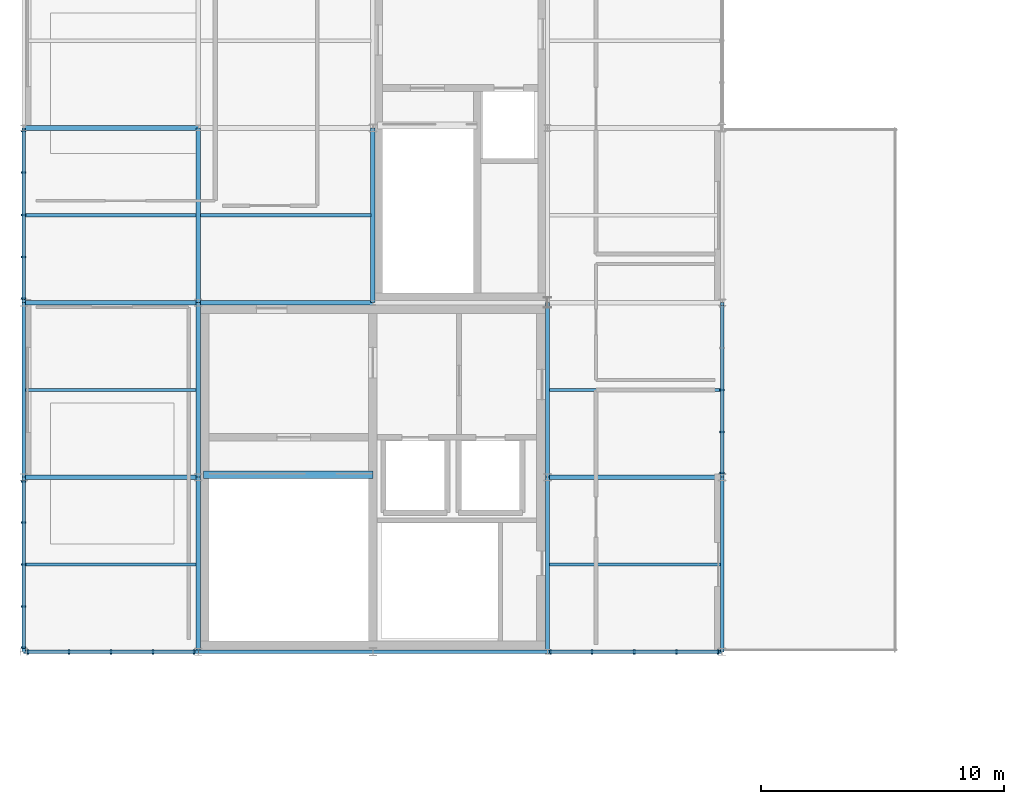
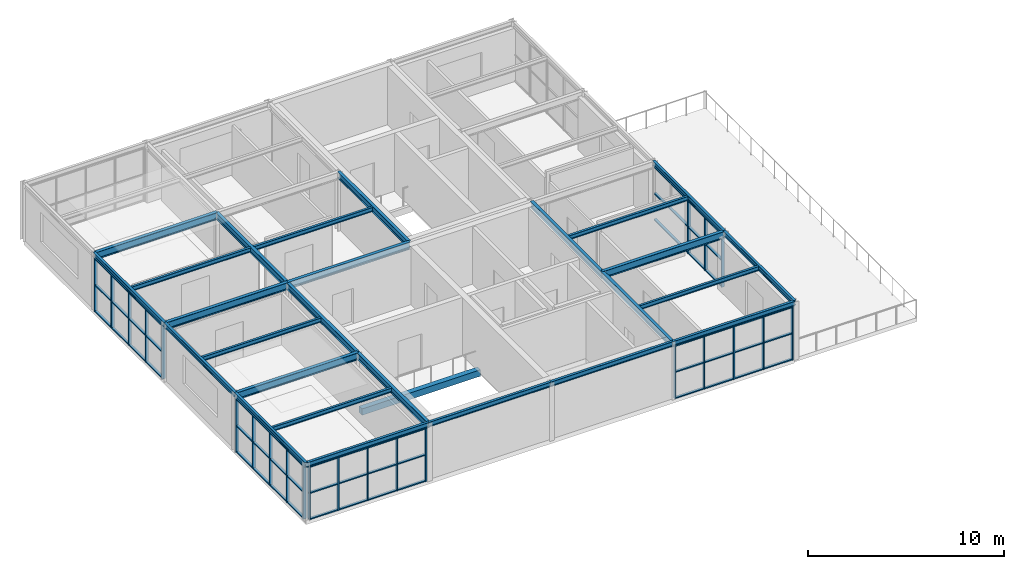
# One storey, part 4 of 12: 38 members, 27 beams, 5 elements without a shape of their own.
"""IFC4 building model written with IfcOpenShell, lengths in metres."""

from ifc_helpers import new_model, si_unit, direction, frame, origin, origin_2d, place, context, subcontext, project, spatial, rectangle, i_section, extrude, material, material_profile, profile_set, type_object, element, aggregate, save


model = new_model("IFC4")

# Units and contexts
model_context = context("Model", 3, precision=1e-05, world=origin(), true_north=direction((0.0, 1.0)))
body_context = subcontext(model_context, "Body", "Model", "MODEL_VIEW")
ifc_project = project(units=[si_unit("LENGTHUNIT", "METRE"), si_unit("AREAUNIT", "SQUARE_METRE"), si_unit("VOLUMEUNIT", "CUBIC_METRE"), si_unit("PLANEANGLEUNIT", "RADIAN"), si_unit("MASSUNIT", "GRAM", prefix="KILO")], contexts=[model_context])

# Site, building, storey
site_placement = place(None, origin())
site = spatial("IfcSite", under=ifc_project, at=site_placement, CompositionType="ELEMENT")
building_placement = place(site_placement, origin())
building = spatial("IfcBuilding", under=site, at=building_placement, Name="Leyfeld Transit Interchange", CompositionType="ELEMENT")
storey_placement = place(building_placement, frame((0.0, 0.0, 21.60009765625)))
storey = spatial("IfcBuildingStorey", under=building, at=storey_placement, Name="L05", CompositionType="ELEMENT", Elevation=21.60009765625)

# Beams
ifc_material_1 = material(Name="Concrete C35/45", Category="concrete")
ifc_material_profile_1 = material_profile(ifc_material_1, rectangle(XDim=0.300048828125, YDim=0.39990234375, at=origin_2d()), Name="RC 400x300")
ifc_profile_set_1 = profile_set([ifc_material_profile_1], Name="Concrete C35/45")
beam_type_1 = type_object("IfcBeamType", Name="BM-RC-400x300", PredefinedType="LINTEL", material=ifc_profile_set_1)
beam_1_placement = place(storey_placement, frame((7.425048828125, 100.89990234375, -0.2001953125), z_axis=(1.0, 0.0, 0.0), x_axis=(0.0, 1.0, 0.0)))
element("IfcBeam", 1, at=beam_1_placement, inside=storey, type_object=beam_type_1, Name="Core K1 Floor Landing Corbel L05", PredefinedType="LINTEL", context=body_context, shape_type="SweptSolid", body=[
    extrude(rectangle(XDim=0.300048828125, YDim=0.39990234375, at=origin_2d()), origin(), (0.0, 0.0, 1.0), 6.974853515625),
])
ifc_material_2 = material(Name="Steel S355J2", Category="steel")
ifc_material_profile_2 = material_profile(ifc_material_2, i_section(OverallWidth=0.135009765625, OverallDepth=0.27001953125, WebThickness=0.006591796875, FlangeThickness=0.01025390625, FilletRadius=0.014892578125, at=origin_2d()), Name="IPE 270")
ifc_profile_set_2 = profile_set([ifc_material_profile_2], Name="Steel S355J2")
beam_type_2 = type_object("IfcBeamType", Name="BM-STL-IPE270", PredefinedType="BEAM", material=ifc_profile_set_2)
for number, where, z_axis, x_axis, name in (
    (2, (0.072021484375, 97.199951171875, 3.48486328125), (1.0, 0.0, 0.0), (0.0, 1.0, 0.0), "Beam BM-L05-0001_0972-0071_0972"),
    (3, (21.68701171875, 97.199951171875, 3.48486328125), (1.0, 0.0, 0.0), (0.0, 1.0, 0.0), "Beam BM-L05-0217_0972-0287_0972"),
    (4, (0.072021484375, 104.39990234375, 3.48486328125), (1.0, 0.0, 0.0), (0.0, 1.0, 0.0), "Beam BM-L05-0001_1044-0071_1044"),
    (5, (21.68701171875, 104.39990234375, 3.48486328125), (1.0, 0.0, 0.0), (0.0, 1.0, 0.0), "Beam BM-L05-0217_1044-0287_1044"),
    (6, (0.072021484375, 111.60009765625, 3.48486328125), (1.0, 0.0, 0.0), (0.0, 1.0, 0.0), "Beam BM-L05-0001_1116-0071_1116"),
):
    element("IfcBeam", number, at=place(storey_placement, frame(where, z_axis=z_axis, x_axis=x_axis)), inside=storey, type_object=beam_type_2, Name=name, PredefinedType="BEAM", context=body_context, shape_type="SweptSolid", body=[
        extrude(i_section(OverallWidth=0.135009765625, OverallDepth=0.27001953125, WebThickness=0.006591796875, FlangeThickness=0.01025390625, FilletRadius=0.014892578125, at=origin_2d()), origin(), (0.0, 0.0, 1.0), 7.041015625),
    ])
beam_2_placement = place(storey_placement, frame((7.287109375, 111.60009765625, 3.48486328125), z_axis=(1.0, 0.0, 0.0), x_axis=(0.0, 1.0, 0.0)))
element("IfcBeam", 7, at=beam_2_placement, inside=storey, type_object=beam_type_2, Name="Beam BM-L05-0073_1116-0143_1116", PredefinedType="BEAM", context=body_context, shape_type="SweptSolid", body=[
    extrude(i_section(OverallWidth=0.135009765625, OverallDepth=0.27001953125, WebThickness=0.006591796875, FlangeThickness=0.01025390625, FilletRadius=0.014892578125, at=origin_2d()), origin(), (0.0, 0.0, 1.0), 7.02587890625),
])
ifc_material_profile_3 = material_profile(ifc_material_2, i_section(OverallWidth=0.14990234375, OverallDepth=0.300048828125, WebThickness=0.007080078125, FlangeThickness=0.0107421875, FilletRadius=0.014892578125, at=origin_2d()), Name="IPE 300")
ifc_profile_set_3 = profile_set([ifc_material_profile_3], Name="Steel S355J2")
beam_type_3 = type_object("IfcBeamType", Name="BM-STL-IPE300", PredefinedType="SPANDREL", material=ifc_profile_set_3)
for number, where, z_axis, x_axis, name in (
    (8, (0.0, 93.60009765625, 3.469970703125), (0.0, 1.0, 0.0), (-1.0, 0.0, 0.0), "Beam BM-L05-0000_0936-0000_1008"),
    (9, (0.0, 100.800048828125, 3.469970703125), (0.0, 1.0, 0.0), (-1.0, 0.0, 0.0), "Beam BM-L05-0000_1008-0000_1080"),
    (10, (0.0, 108.0, 3.469970703125), (0.0, 1.0, 0.0), (-1.0, 0.0, 0.0), "Beam BM-L05-0000_1080-0000_1152"),
    (11, (28.800048828125, 93.60009765625, 3.469970703125), (0.0, 1.0, 0.0), (-1.0, 0.0, 0.0), "Beam BM-L05-0288_0936-0288_1008"),
    (12, (28.800048828125, 100.800048828125, 3.469970703125), (0.0, 1.0, 0.0), (-1.0, 0.0, 0.0), "Beam BM-L05-0288_1008-0288_1080"),
    (13, (0.0, 93.60009765625, 3.469970703125), (1.0, 0.0, 0.0), (0.0, 1.0, 0.0), "Beam BM-L05-0000_0936-0072_0936"),
    (14, (7.199951171875, 93.60009765625, 3.469970703125), (1.0, 0.0, 0.0), (0.0, 1.0, 0.0), "Beam BM-L05-0072_0936-0144_0936"),
):
    element("IfcBeam", number, at=place(storey_placement, frame(where, z_axis=z_axis, x_axis=x_axis)), inside=storey, type_object=beam_type_3, Name=name, PredefinedType="SPANDREL", context=body_context, shape_type="SweptSolid", body=[
        extrude(i_section(OverallWidth=0.14990234375, OverallDepth=0.300048828125, WebThickness=0.007080078125, FlangeThickness=0.0107421875, FilletRadius=0.014892578125, at=origin_2d()), origin(), (0.0, 0.0, 1.0), 7.199951171875),
    ])
beam_3_placement = place(storey_placement, frame((14.39990234375, 93.60009765625, 3.469970703125), z_axis=(1.0, 0.0, 0.0), x_axis=(0.0, 1.0, 0.0)))
element("IfcBeam", 15, at=beam_3_placement, inside=storey, type_object=beam_type_3, Name="Beam BM-L05-0144_0936-0216_0936", PredefinedType="SPANDREL", context=body_context, shape_type="SweptSolid", body=[
    extrude(i_section(OverallWidth=0.14990234375, OverallDepth=0.300048828125, WebThickness=0.007080078125, FlangeThickness=0.0107421875, FilletRadius=0.014892578125, at=origin_2d()), origin(), (0.0, 0.0, 1.0), 7.2001953125),
])
beam_4_placement = place(storey_placement, frame((21.60009765625, 93.60009765625, 3.469970703125), z_axis=(1.0, 0.0, 0.0), x_axis=(0.0, 1.0, 0.0)))
element("IfcBeam", 16, at=beam_4_placement, inside=storey, type_object=beam_type_3, Name="Beam BM-L05-0216_0936-0288_0936", PredefinedType="SPANDREL", context=body_context, shape_type="SweptSolid", body=[
    extrude(i_section(OverallWidth=0.14990234375, OverallDepth=0.300048828125, WebThickness=0.007080078125, FlangeThickness=0.0107421875, FilletRadius=0.014892578125, at=origin_2d()), origin(), (0.0, 0.0, 1.0), 7.199951171875),
])
ifc_material_profile_4 = material_profile(ifc_material_2, i_section(OverallWidth=0.179931640625, OverallDepth=0.39990234375, WebThickness=0.008544921875, FlangeThickness=0.013427734375, FilletRadius=0.02099609375, at=origin_2d()), Name="IPE 400")
ifc_profile_set_4 = profile_set([ifc_material_profile_4], Name="Steel S355J2")
beam_type_4 = type_object("IfcBeamType", Name="BM-STL-IPE400", PredefinedType="BEAM", material=ifc_profile_set_4)
for number, where, z_axis, x_axis, name in (
    (17, (7.199951171875, 93.60009765625, 3.419921875), (0.0, 1.0, 0.0), (-1.0, 0.0, 0.0), "Beam BM-L05-0072_0936-0072_1008"),
    (18, (7.199951171875, 100.800048828125, 3.419921875), (0.0, 1.0, 0.0), (-1.0, 0.0, 0.0), "Beam BM-L05-0072_1008-0072_1080"),
    (19, (7.199951171875, 108.0, 3.419921875), (0.0, 1.0, 0.0), (-1.0, 0.0, 0.0), "Beam BM-L05-0072_1080-0072_1152"),
    (20, (14.39990234375, 108.0, 3.419921875), (0.0, 1.0, 0.0), (-1.0, 0.0, 0.0), "Beam BM-L05-0144_1080-0144_1152"),
    (21, (21.60009765625, 93.60009765625, 3.419921875), (0.0, 1.0, 0.0), (-1.0, 0.0, 0.0), "Beam BM-L05-0216_0936-0216_1008"),
    (22, (21.60009765625, 100.800048828125, 3.419921875), (0.0, 1.0, 0.0), (-1.0, 0.0, 0.0), "Beam BM-L05-0216_1008-0216_1080"),
):
    element("IfcBeam", number, at=place(storey_placement, frame(where, z_axis=z_axis, x_axis=x_axis)), inside=storey, type_object=beam_type_4, Name=name, PredefinedType="BEAM", context=body_context, shape_type="SweptSolid", body=[
        extrude(i_section(OverallWidth=0.179931640625, OverallDepth=0.39990234375, WebThickness=0.008544921875, FlangeThickness=0.013427734375, FilletRadius=0.02099609375, at=origin_2d()), origin(), (0.0, 0.0, 1.0), 7.199951171875),
    ])
ifc_material_profile_5 = material_profile(ifc_material_2, i_section(OverallWidth=0.18994140625, OverallDepth=0.449951171875, WebThickness=0.009521484375, FlangeThickness=0.0146484375, FilletRadius=0.02099609375, at=origin_2d()), Name="IPE 450")
ifc_profile_set_5 = profile_set([ifc_material_profile_5], Name="Steel S355J2")
beam_type_5 = type_object("IfcBeamType", Name="BM-STL-IPE450", PredefinedType="BEAM", material=ifc_profile_set_5)
for number, where, z_axis, x_axis, name in (
    (23, (0.0, 100.800048828125, 3.39501953125), (1.0, 0.0, 0.0), (0.0, 1.0, 0.0), "Beam BM-L05-0000_1008-0072_1008"),
    (24, (21.60009765625, 100.800048828125, 3.39501953125), (1.0, 0.0, 0.0), (0.0, 1.0, 0.0), "Beam BM-L05-0216_1008-0288_1008"),
    (25, (0.0, 108.0, 3.39501953125), (1.0, 0.0, 0.0), (0.0, 1.0, 0.0), "Beam BM-L05-0000_1080-0072_1080"),
    (26, (7.199951171875, 108.0, 3.39501953125), (1.0, 0.0, 0.0), (0.0, 1.0, 0.0), "Beam BM-L05-0072_1080-0144_1080"),
    (27, (0.0, 115.199951171875, 3.39501953125), (1.0, 0.0, 0.0), (0.0, 1.0, 0.0), "Beam BM-L05-0000_1152-0072_1152"),
):
    element("IfcBeam", number, at=place(storey_placement, frame(where, z_axis=z_axis, x_axis=x_axis)), inside=storey, type_object=beam_type_5, Name=name, PredefinedType="BEAM", context=body_context, shape_type="SweptSolid", body=[
        extrude(i_section(OverallWidth=0.18994140625, OverallDepth=0.449951171875, WebThickness=0.009521484375, FlangeThickness=0.0146484375, FilletRadius=0.02099609375, at=origin_2d()), origin(), (0.0, 0.0, 1.0), 7.199951171875),
    ])

# Curtain wall, members
ifc_material_3 = material(Name="Anodised aluminium EN AW-6060 T66", Category="aluminium")
curtain_wall_type = type_object("IfcCurtainWallType", Name="CW-SYS-OPS-7200", PredefinedType="NOTDEFINED", material=ifc_material_3)
curtain_wall_1_placement = place(storey_placement, origin())
curtain_wall_1 = element("IfcCurtainWall", 28, at=curtain_wall_1_placement, inside=storey, type_object=curtain_wall_type, Name="Curtain Wall CW-L05-145", PredefinedType="NOTDEFINED")
ifc_material_profile_6 = material_profile(ifc_material_3, rectangle(XDim=0.06494140625, YDim=0.179931640625, at=origin_2d()), Name="CW-M 65x180")
ifc_profile_set_6 = profile_set([ifc_material_profile_6], Name="Anodised aluminium EN AW-6060 T66")
member_type_1 = type_object("IfcMemberType", Name="CW-MUL-150x65", PredefinedType="MULLION", material=ifc_profile_set_6)
member_1_placement = place(storey_placement, frame((0.0, 93.7724609375, 0.0), z_axis=(0.0, 0.0, 1.0), x_axis=(0.0, 1.0, 0.0)))
member_1 = element("IfcMember", 29, at=member_1_placement, type_object=member_type_1, Name="Curtain Mullion CW-L05-145-M01", PredefinedType="MULLION", context=body_context, shape_type="SweptSolid", body=[
    extrude(rectangle(XDim=0.06494140625, YDim=0.179931640625, at=origin_2d()), origin(), (0.0, 0.0, 1.0), 3.31982421875),
])
member_2_placement = place(storey_placement, frame((0.0, 95.469970703125, 0.0), z_axis=(0.0, 0.0, 1.0), x_axis=(0.0, 1.0, 0.0)))
member_2 = element("IfcMember", 30, at=member_2_placement, type_object=member_type_1, Name="Curtain Mullion CW-L05-145-M02", PredefinedType="MULLION", context=body_context, shape_type="SweptSolid", body=[
    extrude(rectangle(XDim=0.06494140625, YDim=0.179931640625, at=origin_2d()), origin(), (0.0, 0.0, 1.0), 3.31982421875),
])
member_3_placement = place(storey_placement, frame((0.0, 97.199951171875, 0.0), z_axis=(0.0, 0.0, 1.0), x_axis=(0.0, 1.0, 0.0)))
member_3 = element("IfcMember", 31, at=member_3_placement, type_object=member_type_1, Name="Curtain Mullion CW-L05-145-M03", PredefinedType="MULLION", context=body_context, shape_type="SweptSolid", body=[
    extrude(rectangle(XDim=0.06494140625, YDim=0.179931640625, at=origin_2d()), origin(), (0.0, 0.0, 1.0), 3.31982421875),
])
member_4_placement = place(storey_placement, frame((0.0, 98.929931640625, 0.0), z_axis=(0.0, 0.0, 1.0), x_axis=(0.0, 1.0, 0.0)))
member_4 = element("IfcMember", 32, at=member_4_placement, type_object=member_type_1, Name="Curtain Mullion CW-L05-145-M04", PredefinedType="MULLION", context=body_context, shape_type="SweptSolid", body=[
    extrude(rectangle(XDim=0.06494140625, YDim=0.179931640625, at=origin_2d()), origin(), (0.0, 0.0, 1.0), 3.31982421875),
])
member_5_placement = place(storey_placement, frame((0.0, 100.62744140625, 0.0), z_axis=(0.0, 0.0, 1.0), x_axis=(0.0, 1.0, 0.0)))
member_5 = element("IfcMember", 33, at=member_5_placement, type_object=member_type_1, Name="Curtain Mullion CW-L05-145-M05", PredefinedType="MULLION", context=body_context, shape_type="SweptSolid", body=[
    extrude(rectangle(XDim=0.06494140625, YDim=0.179931640625, at=origin_2d()), origin(), (0.0, 0.0, 1.0), 3.31982421875),
])

curtain_wall_2_placement = place(storey_placement, origin())
curtain_wall_2 = element("IfcCurtainWall", 34, at=curtain_wall_2_placement, inside=storey, type_object=curtain_wall_type, Name="Curtain Wall CW-L05-146", PredefinedType="NOTDEFINED")
member_6_placement = place(storey_placement, frame((0.0, 108.16748046875, 0.0), z_axis=(0.0, 0.0, 1.0), x_axis=(0.0, 1.0, 0.0)))
member_6 = element("IfcMember", 35, at=member_6_placement, type_object=member_type_1, Name="Curtain Mullion CW-L05-146-M01", PredefinedType="MULLION", context=body_context, shape_type="SweptSolid", body=[
    extrude(rectangle(XDim=0.06494140625, YDim=0.179931640625, at=origin_2d()), origin(), (0.0, 0.0, 1.0), 3.31982421875),
])
member_7_placement = place(storey_placement, frame((0.0, 109.876220703125, 0.0), z_axis=(0.0, 0.0, 1.0), x_axis=(0.0, 1.0, 0.0)))
member_7 = element("IfcMember", 36, at=member_7_placement, type_object=member_type_1, Name="Curtain Mullion CW-L05-146-M02", PredefinedType="MULLION", context=body_context, shape_type="SweptSolid", body=[
    extrude(rectangle(XDim=0.06494140625, YDim=0.179931640625, at=origin_2d()), origin(), (0.0, 0.0, 1.0), 3.31982421875),
])
member_8_placement = place(storey_placement, frame((0.0, 111.617431640625, 0.0), z_axis=(0.0, 0.0, 1.0), x_axis=(0.0, 1.0, 0.0)))
member_8 = element("IfcMember", 37, at=member_8_placement, type_object=member_type_1, Name="Curtain Mullion CW-L05-146-M03", PredefinedType="MULLION", context=body_context, shape_type="SweptSolid", body=[
    extrude(rectangle(XDim=0.06494140625, YDim=0.179931640625, at=origin_2d()), origin(), (0.0, 0.0, 1.0), 3.31982421875),
])
member_9_placement = place(storey_placement, frame((0.0, 113.358642578125, 0.0), z_axis=(0.0, 0.0, 1.0), x_axis=(0.0, 1.0, 0.0)))
member_9 = element("IfcMember", 38, at=member_9_placement, type_object=member_type_1, Name="Curtain Mullion CW-L05-146-M04", PredefinedType="MULLION", context=body_context, shape_type="SweptSolid", body=[
    extrude(rectangle(XDim=0.06494140625, YDim=0.179931640625, at=origin_2d()), origin(), (0.0, 0.0, 1.0), 3.31982421875),
])
member_10_placement = place(storey_placement, frame((0.0, 115.0673828125, 0.0), z_axis=(0.0, 0.0, 1.0), x_axis=(0.0, 1.0, 0.0)))
member_10 = element("IfcMember", 39, at=member_10_placement, type_object=member_type_1, Name="Curtain Mullion CW-L05-146-M05", PredefinedType="MULLION", context=body_context, shape_type="SweptSolid", body=[
    extrude(rectangle(XDim=0.06494140625, YDim=0.179931640625, at=origin_2d()), origin(), (0.0, 0.0, 1.0), 3.31982421875),
])

curtain_wall_3_placement = place(storey_placement, origin())
curtain_wall_3 = element("IfcCurtainWall", 40, at=curtain_wall_3_placement, inside=storey, type_object=curtain_wall_type, Name="Curtain Wall CW-L05-149", PredefinedType="NOTDEFINED")
member_11_placement = place(storey_placement, frame((28.800048828125, 104.402587890625, 0.0), z_axis=(0.0, 0.0, 1.0), x_axis=(0.0, -1.0, 0.0)))
member_11 = element("IfcMember", 41, at=member_11_placement, type_object=member_type_1, Name="Curtain Mullion CW-L05-149-M03", PredefinedType="MULLION", context=body_context, shape_type="SweptSolid", body=[
    extrude(rectangle(XDim=0.06494140625, YDim=0.179931640625, at=origin_2d()), origin(), (0.0, 0.0, 1.0), 3.31982421875),
])
member_12_placement = place(storey_placement, frame((28.800048828125, 102.668701171875, 0.0), z_axis=(0.0, 0.0, 1.0), x_axis=(0.0, -1.0, 0.0)))
member_12 = element("IfcMember", 42, at=member_12_placement, type_object=member_type_1, Name="Curtain Mullion CW-L05-149-M04", PredefinedType="MULLION", context=body_context, shape_type="SweptSolid", body=[
    extrude(rectangle(XDim=0.06494140625, YDim=0.179931640625, at=origin_2d()), origin(), (0.0, 0.0, 1.0), 3.31982421875),
])
member_13_placement = place(storey_placement, frame((28.800048828125, 100.967529296875, 0.0), z_axis=(0.0, 0.0, 1.0), x_axis=(0.0, -1.0, 0.0)))
member_13 = element("IfcMember", 43, at=member_13_placement, type_object=member_type_1, Name="Curtain Mullion CW-L05-149-M05", PredefinedType="MULLION", context=body_context, shape_type="SweptSolid", body=[
    extrude(rectangle(XDim=0.06494140625, YDim=0.179931640625, at=origin_2d()), origin(), (0.0, 0.0, 1.0), 3.31982421875),
])

curtain_wall_4_placement = place(storey_placement, origin())
curtain_wall_4 = element("IfcCurtainWall", 44, at=curtain_wall_4_placement, inside=storey, type_object=curtain_wall_type, Name="Curtain Wall CW-L05-150", PredefinedType="NOTDEFINED")
member_14_placement = place(storey_placement, frame((28.62744140625, 93.60009765625, 0.0), z_axis=(0.0, 0.0, 1.0), x_axis=(-1.0, 0.0, 0.0)))
member_14 = element("IfcMember", 45, at=member_14_placement, type_object=member_type_1, Name="Curtain Mullion CW-L05-150-M01", PredefinedType="MULLION", context=body_context, shape_type="SweptSolid", body=[
    extrude(rectangle(XDim=0.06494140625, YDim=0.179931640625, at=origin_2d()), origin(), (0.0, 0.0, 1.0), 3.31982421875),
])
member_15_placement = place(storey_placement, frame((26.91748046875, 93.60009765625, 0.0), z_axis=(0.0, 0.0, 1.0), x_axis=(-1.0, 0.0, 0.0)))
member_15 = element("IfcMember", 46, at=member_15_placement, type_object=member_type_1, Name="Curtain Mullion CW-L05-150-M02", PredefinedType="MULLION", context=body_context, shape_type="SweptSolid", body=[
    extrude(rectangle(XDim=0.06494140625, YDim=0.179931640625, at=origin_2d()), origin(), (0.0, 0.0, 1.0), 3.31982421875),
])
member_16_placement = place(storey_placement, frame((25.175048828125, 93.60009765625, 0.0), z_axis=(0.0, 0.0, 1.0), x_axis=(-1.0, 0.0, 0.0)))
member_16 = element("IfcMember", 47, at=member_16_placement, type_object=member_type_1, Name="Curtain Mullion CW-L05-150-M03", PredefinedType="MULLION", context=body_context, shape_type="SweptSolid", body=[
    extrude(rectangle(XDim=0.06494140625, YDim=0.179931640625, at=origin_2d()), origin(), (0.0, 0.0, 1.0), 3.31982421875),
])
member_17_placement = place(storey_placement, frame((23.4326171875, 93.60009765625, 0.0), z_axis=(0.0, 0.0, 1.0), x_axis=(-1.0, 0.0, 0.0)))
member_17 = element("IfcMember", 48, at=member_17_placement, type_object=member_type_1, Name="Curtain Mullion CW-L05-150-M04", PredefinedType="MULLION", context=body_context, shape_type="SweptSolid", body=[
    extrude(rectangle(XDim=0.06494140625, YDim=0.179931640625, at=origin_2d()), origin(), (0.0, 0.0, 1.0), 3.31982421875),
])
member_18_placement = place(storey_placement, frame((21.722412109375, 93.60009765625, 0.0), z_axis=(0.0, 0.0, 1.0), x_axis=(-1.0, 0.0, 0.0)))
member_18 = element("IfcMember", 49, at=member_18_placement, type_object=member_type_1, Name="Curtain Mullion CW-L05-150-M05", PredefinedType="MULLION", context=body_context, shape_type="SweptSolid", body=[
    extrude(rectangle(XDim=0.06494140625, YDim=0.179931640625, at=origin_2d()), origin(), (0.0, 0.0, 1.0), 3.31982421875),
])

curtain_wall_5_placement = place(storey_placement, origin())
curtain_wall_5 = element("IfcCurtainWall", 50, at=curtain_wall_5_placement, inside=storey, type_object=curtain_wall_type, Name="Curtain Wall CW-L05-151", PredefinedType="NOTDEFINED")
member_19_placement = place(storey_placement, frame((7.027587890625, 93.60009765625, 0.0), z_axis=(0.0, 0.0, 1.0), x_axis=(-1.0, 0.0, 0.0)))
member_19 = element("IfcMember", 51, at=member_19_placement, type_object=member_type_1, Name="Curtain Mullion CW-L05-151-M01", PredefinedType="MULLION", context=body_context, shape_type="SweptSolid", body=[
    extrude(rectangle(XDim=0.06494140625, YDim=0.179931640625, at=origin_2d()), origin(), (0.0, 0.0, 1.0), 3.31982421875),
])
member_20_placement = place(storey_placement, frame((5.330078125, 93.60009765625, 0.0), z_axis=(0.0, 0.0, 1.0), x_axis=(-1.0, 0.0, 0.0)))
member_20 = element("IfcMember", 52, at=member_20_placement, type_object=member_type_1, Name="Curtain Mullion CW-L05-151-M02", PredefinedType="MULLION", context=body_context, shape_type="SweptSolid", body=[
    extrude(rectangle(XDim=0.06494140625, YDim=0.179931640625, at=origin_2d()), origin(), (0.0, 0.0, 1.0), 3.31982421875),
])
member_21_placement = place(storey_placement, frame((3.60009765625, 93.60009765625, 0.0), z_axis=(0.0, 0.0, 1.0), x_axis=(-1.0, 0.0, 0.0)))
member_21 = element("IfcMember", 53, at=member_21_placement, type_object=member_type_1, Name="Curtain Mullion CW-L05-151-M03", PredefinedType="MULLION", context=body_context, shape_type="SweptSolid", body=[
    extrude(rectangle(XDim=0.06494140625, YDim=0.179931640625, at=origin_2d()), origin(), (0.0, 0.0, 1.0), 3.31982421875),
])
member_22_placement = place(storey_placement, frame((1.8701171875, 93.60009765625, 0.0), z_axis=(0.0, 0.0, 1.0), x_axis=(-1.0, 0.0, 0.0)))
member_22 = element("IfcMember", 54, at=member_22_placement, type_object=member_type_1, Name="Curtain Mullion CW-L05-151-M04", PredefinedType="MULLION", context=body_context, shape_type="SweptSolid", body=[
    extrude(rectangle(XDim=0.06494140625, YDim=0.179931640625, at=origin_2d()), origin(), (0.0, 0.0, 1.0), 3.31982421875),
])
member_23_placement = place(storey_placement, frame((0.172607421875, 93.60009765625, 0.0), z_axis=(0.0, 0.0, 1.0), x_axis=(-1.0, 0.0, 0.0)))
member_23 = element("IfcMember", 55, at=member_23_placement, type_object=member_type_1, Name="Curtain Mullion CW-L05-151-M05", PredefinedType="MULLION", context=body_context, shape_type="SweptSolid", body=[
    extrude(rectangle(XDim=0.06494140625, YDim=0.179931640625, at=origin_2d()), origin(), (0.0, 0.0, 1.0), 3.31982421875),
])

# Member
ifc_material_profile_7 = material_profile(ifc_material_3, rectangle(XDim=0.14990234375, YDim=0.06494140625, at=origin_2d()), Name="CW-TRN-135x65")
ifc_profile_set_7 = profile_set([ifc_material_profile_7], Name="Anodised aluminium EN AW-6060 T66")
member_type_2 = type_object("IfcMemberType", Name="CW-TRN-135x65", PredefinedType="USERDEFINED", material=ifc_profile_set_7)
member_24_placement = place(storey_placement, frame((0.0, 93.739990234375, 0.032470703125), z_axis=(0.0, 1.0, 0.0), x_axis=(-1.0, 0.0, 0.0)))
member_24 = element("IfcMember", 56, at=member_24_placement, type_object=member_type_2, Name="Curtain Transom CW-L05-145-T01", ObjectType="TRANSOM", PredefinedType="USERDEFINED", context=body_context, shape_type="SweptSolid", body=[
    extrude(rectangle(XDim=0.14990234375, YDim=0.06494140625, at=origin_2d()), origin(), (0.0, 0.0, 1.0), 6.919921875),
])

member_25_placement = place(storey_placement, frame((0.0, 93.739990234375, 1.659912109375), z_axis=(0.0, 1.0, 0.0), x_axis=(-1.0, 0.0, 0.0)))
member_25 = element("IfcMember", 57, at=member_25_placement, type_object=member_type_2, Name="Curtain Transom CW-L05-145-T02", ObjectType="TRANSOM", PredefinedType="USERDEFINED", context=body_context, shape_type="SweptSolid", body=[
    extrude(rectangle(XDim=0.14990234375, YDim=0.06494140625, at=origin_2d()), origin(), (0.0, 0.0, 1.0), 6.919921875),
])

member_26_placement = place(storey_placement, frame((0.0, 93.739990234375, 3.287353515625), z_axis=(0.0, 1.0, 0.0), x_axis=(-1.0, 0.0, 0.0)))
member_26 = element("IfcMember", 58, at=member_26_placement, type_object=member_type_2, Name="Curtain Transom CW-L05-145-T03", ObjectType="TRANSOM", PredefinedType="USERDEFINED", context=body_context, shape_type="SweptSolid", body=[
    extrude(rectangle(XDim=0.14990234375, YDim=0.06494140625, at=origin_2d()), origin(), (0.0, 0.0, 1.0), 6.919921875),
])

aggregate(curtain_wall_1, [member_1, member_2, member_3, member_4, member_5, member_24, member_25, member_26])

member_27_placement = place(storey_placement, frame((0.0, 108.135009765625, 0.032470703125), z_axis=(0.0, 1.0, 0.0), x_axis=(-1.0, 0.0, 0.0)))
member_27 = element("IfcMember", 59, at=member_27_placement, type_object=member_type_2, Name="Curtain Transom CW-L05-146-T01", ObjectType="TRANSOM", PredefinedType="USERDEFINED", context=body_context, shape_type="SweptSolid", body=[
    extrude(rectangle(XDim=0.14990234375, YDim=0.06494140625, at=origin_2d()), origin(), (0.0, 0.0, 1.0), 6.965087890625),
])

member_28_placement = place(storey_placement, frame((0.0, 108.135009765625, 1.659912109375), z_axis=(0.0, 1.0, 0.0), x_axis=(-1.0, 0.0, 0.0)))
member_28 = element("IfcMember", 60, at=member_28_placement, type_object=member_type_2, Name="Curtain Transom CW-L05-146-T02", ObjectType="TRANSOM", PredefinedType="USERDEFINED", context=body_context, shape_type="SweptSolid", body=[
    extrude(rectangle(XDim=0.14990234375, YDim=0.06494140625, at=origin_2d()), origin(), (0.0, 0.0, 1.0), 6.965087890625),
])

member_29_placement = place(storey_placement, frame((0.0, 108.135009765625, 3.287353515625), z_axis=(0.0, 1.0, 0.0), x_axis=(-1.0, 0.0, 0.0)))
member_29 = element("IfcMember", 61, at=member_29_placement, type_object=member_type_2, Name="Curtain Transom CW-L05-146-T03", ObjectType="TRANSOM", PredefinedType="USERDEFINED", context=body_context, shape_type="SweptSolid", body=[
    extrude(rectangle(XDim=0.14990234375, YDim=0.06494140625, at=origin_2d()), origin(), (0.0, 0.0, 1.0), 6.965087890625),
])

aggregate(curtain_wall_2, [member_6, member_7, member_8, member_9, member_10, member_27, member_28, member_29])

member_30_placement = place(storey_placement, frame((28.800048828125, 107.8701171875, 0.032470703125), z_axis=(0.0, -1.0, 0.0), x_axis=(1.0, 0.0, 0.0)))
member_30 = element("IfcMember", 62, at=member_30_placement, type_object=member_type_2, Name="Curtain Transom CW-L05-149-T01", ObjectType="TRANSOM", PredefinedType="USERDEFINED", context=body_context, shape_type="SweptSolid", body=[
    extrude(rectangle(XDim=0.14990234375, YDim=0.06494140625, at=origin_2d()), origin(), (0.0, 0.0, 1.0), 6.93505859375),
])

member_31_placement = place(storey_placement, frame((28.800048828125, 107.8701171875, 1.659912109375), z_axis=(0.0, -1.0, 0.0), x_axis=(1.0, 0.0, 0.0)))
member_31 = element("IfcMember", 63, at=member_31_placement, type_object=member_type_2, Name="Curtain Transom CW-L05-149-T02", ObjectType="TRANSOM", PredefinedType="USERDEFINED", context=body_context, shape_type="SweptSolid", body=[
    extrude(rectangle(XDim=0.14990234375, YDim=0.06494140625, at=origin_2d()), origin(), (0.0, 0.0, 1.0), 6.93505859375),
])

member_32_placement = place(storey_placement, frame((28.800048828125, 107.8701171875, 3.287353515625), z_axis=(0.0, -1.0, 0.0), x_axis=(1.0, 0.0, 0.0)))
member_32 = element("IfcMember", 64, at=member_32_placement, type_object=member_type_2, Name="Curtain Transom CW-L05-149-T03", ObjectType="TRANSOM", PredefinedType="USERDEFINED", context=body_context, shape_type="SweptSolid", body=[
    extrude(rectangle(XDim=0.14990234375, YDim=0.06494140625, at=origin_2d()), origin(), (0.0, 0.0, 1.0), 6.93505859375),
])

aggregate(curtain_wall_3, [member_11, member_12, member_13, member_30, member_31, member_32])

member_33_placement = place(storey_placement, frame((28.659912109375, 93.60009765625, 0.032470703125), z_axis=(-1.0, 0.0, 0.0), x_axis=(0.0, -1.0, 0.0)))
member_33 = element("IfcMember", 65, at=member_33_placement, type_object=member_type_2, Name="Curtain Transom CW-L05-150-T01", ObjectType="TRANSOM", PredefinedType="USERDEFINED", context=body_context, shape_type="SweptSolid", body=[
    extrude(rectangle(XDim=0.14990234375, YDim=0.06494140625, at=origin_2d()), origin(), (0.0, 0.0, 1.0), 6.969970703125),
])

member_34_placement = place(storey_placement, frame((28.659912109375, 93.60009765625, 1.659912109375), z_axis=(-1.0, 0.0, 0.0), x_axis=(0.0, -1.0, 0.0)))
member_34 = element("IfcMember", 66, at=member_34_placement, type_object=member_type_2, Name="Curtain Transom CW-L05-150-T02", ObjectType="TRANSOM", PredefinedType="USERDEFINED", context=body_context, shape_type="SweptSolid", body=[
    extrude(rectangle(XDim=0.14990234375, YDim=0.06494140625, at=origin_2d()), origin(), (0.0, 0.0, 1.0), 6.969970703125),
])

member_35_placement = place(storey_placement, frame((28.659912109375, 93.60009765625, 3.287353515625), z_axis=(-1.0, 0.0, 0.0), x_axis=(0.0, -1.0, 0.0)))
member_35 = element("IfcMember", 67, at=member_35_placement, type_object=member_type_2, Name="Curtain Transom CW-L05-150-T03", ObjectType="TRANSOM", PredefinedType="USERDEFINED", context=body_context, shape_type="SweptSolid", body=[
    extrude(rectangle(XDim=0.14990234375, YDim=0.06494140625, at=origin_2d()), origin(), (0.0, 0.0, 1.0), 6.969970703125),
])

aggregate(curtain_wall_4, [member_14, member_15, member_16, member_17, member_18, member_33, member_34, member_35])

member_36_placement = place(storey_placement, frame((7.06005859375, 93.60009765625, 0.032470703125), z_axis=(-1.0, 0.0, 0.0), x_axis=(0.0, -1.0, 0.0)))
member_36 = element("IfcMember", 68, at=member_36_placement, type_object=member_type_2, Name="Curtain Transom CW-L05-151-T01", ObjectType="TRANSOM", PredefinedType="USERDEFINED", context=body_context, shape_type="SweptSolid", body=[
    extrude(rectangle(XDim=0.14990234375, YDim=0.06494140625, at=origin_2d()), origin(), (0.0, 0.0, 1.0), 6.920166015625),
])

member_37_placement = place(storey_placement, frame((7.06005859375, 93.60009765625, 1.659912109375), z_axis=(-1.0, 0.0, 0.0), x_axis=(0.0, -1.0, 0.0)))
member_37 = element("IfcMember", 69, at=member_37_placement, type_object=member_type_2, Name="Curtain Transom CW-L05-151-T02", ObjectType="TRANSOM", PredefinedType="USERDEFINED", context=body_context, shape_type="SweptSolid", body=[
    extrude(rectangle(XDim=0.14990234375, YDim=0.06494140625, at=origin_2d()), origin(), (0.0, 0.0, 1.0), 6.920166015625),
])

member_38_placement = place(storey_placement, frame((7.06005859375, 93.60009765625, 3.287353515625), z_axis=(-1.0, 0.0, 0.0), x_axis=(0.0, -1.0, 0.0)))
member_38 = element("IfcMember", 70, at=member_38_placement, type_object=member_type_2, Name="Curtain Transom CW-L05-151-T03", ObjectType="TRANSOM", PredefinedType="USERDEFINED", context=body_context, shape_type="SweptSolid", body=[
    extrude(rectangle(XDim=0.14990234375, YDim=0.06494140625, at=origin_2d()), origin(), (0.0, 0.0, 1.0), 6.920166015625),
])

aggregate(curtain_wall_5, [member_19, member_20, member_21, member_22, member_23, member_36, member_37, member_38])

save(model, "model.ifc")
